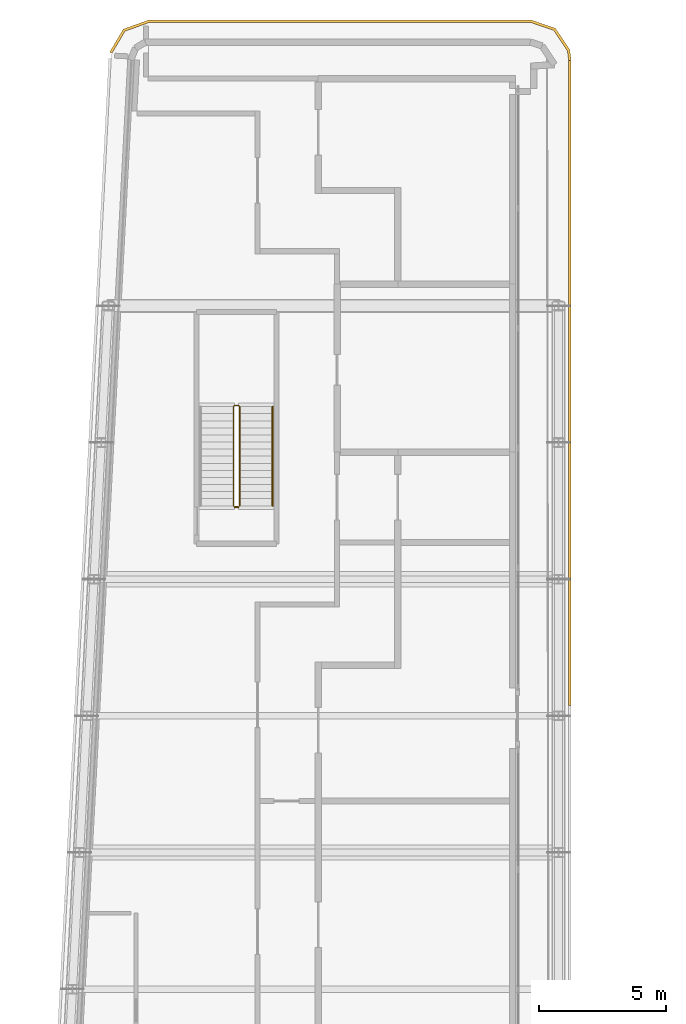
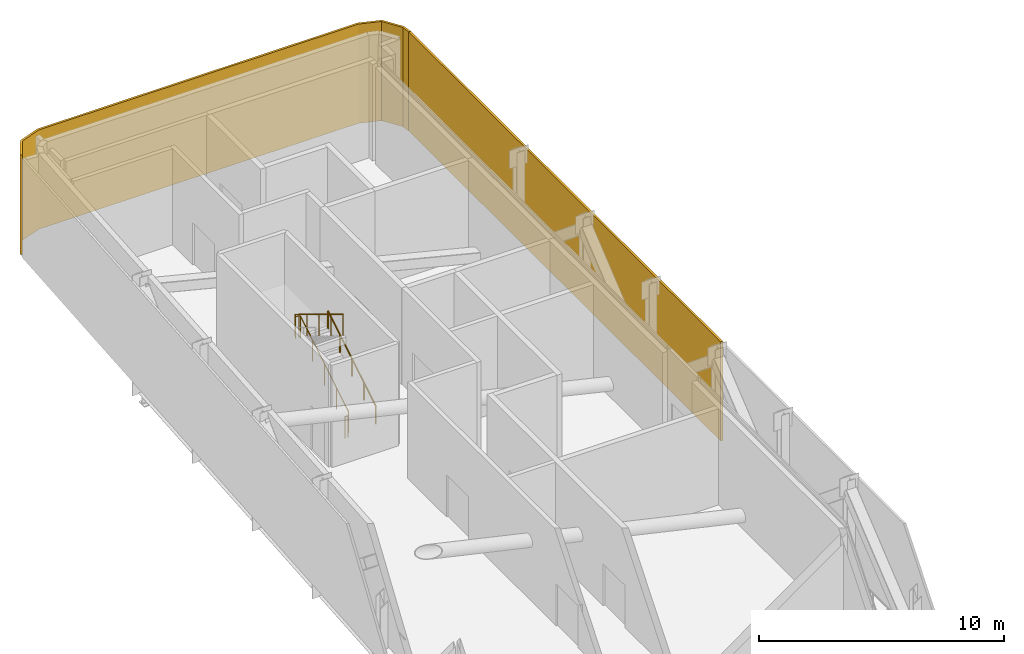
# One storey, part 18 of 18: 3 railings, 2 shading devices.
"""IFC4 building model written with IfcOpenShell, lengths in metres."""

from ifc_helpers import new_model, si_unit, direction, frame, origin, origin_2d, place, context, subcontext, project, spatial, polyline, rectangle, circle, outline, extrude, material, layer, layer_set, type_object, element, save


model = new_model("IFC4")

# Units and contexts
model_context = context("Model", 3, precision=1e-05, world=origin(), true_north=direction((0.0, 1.0)))
body_context = subcontext(model_context, "Body", "Model", "MODEL_VIEW")
ifc_project = project(units=[si_unit("LENGTHUNIT", "METRE"), si_unit("AREAUNIT", "SQUARE_METRE"), si_unit("VOLUMEUNIT", "CUBIC_METRE"), si_unit("PLANEANGLEUNIT", "RADIAN"), si_unit("MASSUNIT", "GRAM", prefix="KILO")], contexts=[model_context])

# Site, building, storey
site_placement = place(None, origin())
site = spatial("IfcSite", under=ifc_project, at=site_placement, CompositionType="ELEMENT")
building_placement = place(site_placement, origin())
building = spatial("IfcBuilding", under=site, at=building_placement, Name="Kheshtan School and Residences Tower", CompositionType="ELEMENT")
storey_placement = place(building_placement, frame((0.0, 0.0, 333.199951171875)))
storey = spatial("IfcBuildingStorey", under=building, at=storey_placement, Name="L78", CompositionType="ELEMENT", Elevation=333.199951171875)

# Shading devices
ifc_material_1 = material(Name="Terracotta louvre blades", Category="masonry")
ifc_layer = layer(ifc_material_1, 0.10009765625)
ifc_layer_set = layer_set([ifc_layer], Name="Plant louvre screen")
shading_device_type = type_object("IfcShadingDeviceType", Name="Plant louvre screen", PredefinedType="JALOUSIE", material=ifc_layer_set)
shading_device_1_placement = place(storey_placement, origin())
element("IfcShadingDevice", 1, at=shading_device_1_placement, inside=storey, type_object=shading_device_type, Name="Screen L78 1", PredefinedType="JALOUSIE", context=body_context, shape_type="SweptSolid", body=[
    extrude(outline(polyline([(29.949951171875, 98.783935546875), (30.468017578125, 99.656982421875), (31.423095703125, 100.0), (46.5, 100.0), (47.4130859375, 99.68994140625), (47.948974609375, 98.887939453125), (48.0, 98.5), (48.09912109375, 98.512939453125), (48.044921875, 98.924072265625), (47.47705078125, 99.77392578125), (46.51708984375, 100.10009765625), (31.406005859375, 100.10009765625), (30.39990234375, 99.739013671875), (29.864013671875, 98.8349609375), (29.949951171875, 98.783935546875)])), origin(), (0.0, 0.0, 1.0), 4.949951171875),
])
shading_device_2_placement = place(storey_placement, frame((48.050048828125, 85.75, 0.0), z_axis=(0.0, 0.0, 1.0), x_axis=(0.0, -1.0, 0.0)))
element("IfcShadingDevice", 2, at=shading_device_2_placement, inside=storey, type_object=shading_device_type, Name="Screen L78 2", PredefinedType="JALOUSIE", context=body_context, shape_type="SweptSolid", body=[
    extrude(rectangle(XDim=25.5, YDim=0.10009765625, at=origin_2d()), origin(), (0.0, 0.0, 1.0), 4.949951171875),
])

# Railings
ifc_material_2 = material(Name="Stainless steel balustrade", Category="steel")
railing_type_1 = type_object("IfcRailingType", Name="Stair guard 1100", PredefinedType="GUARDRAIL", material=ifc_material_2)
railing_1_placement = place(storey_placement, frame((35.0, 80.89990234375, 0.170166015625)))
element("IfcRailing", 3, at=railing_1_placement, inside=storey, type_object=railing_type_1, Name="L78 ST3 stair guard 1", PredefinedType="GUARDRAIL", context=body_context, shape_type="SweptSolid", body=[
    extrude(circle(Radius=0.02392578125, at=origin_2d()), frame((0.0, 0.0, 1.076171875), z_axis=(0.0, 0.854808600491, 0.518943403973), x_axis=(-1.0, 0.0, 0.0)), (0.0, 0.0, 1.0), 4.5859375),
    extrude(circle(Radius=0.02392578125, at=origin_2d()), frame((0.0, 3.920166015625, 3.4560546875), z_axis=(-0.707106781187, 0.707106781187, 0.0), x_axis=(-0.707106781187, -0.707106781187, 0.0)), (0.0, 0.0, 1.0), 0.07080078125),
    extrude(circle(Radius=0.02392578125, at=origin_2d()), frame((-0.050048828125, 3.97021484375, 3.4560546875), z_axis=(-1.0, 0.0, 0.0), x_axis=(0.0, -1.0, 0.0)), (0.0, 0.0, 1.0), 0.14990234375),
    extrude(circle(Radius=0.02392578125, at=origin_2d()), frame((-0.199951171875, 3.97021484375, 3.4560546875), z_axis=(-0.271895245746, -0.271895245746, 0.923117517265), x_axis=(0.707106781187, -0.707106781187, 0.0)), (0.0, 0.0, 1.0), 0.18408203125),
    extrude(circle(Radius=0.02392578125, at=origin_2d()), frame((-0.25, 3.920166015625, 3.6259765625), z_axis=(0.0, -0.854784984964, 0.518982301701), x_axis=(1.0, 0.0, 0.0)), (0.0, 0.0, 1.0), 4.586181640625),
    extrude(circle(Radius=0.02099609375, at=origin_2d()), origin(), (0.0, 0.0, 1.0), 1.052001953125),
    extrude(circle(Radius=0.02099609375, at=origin_2d()), frame((0.0, 0.97998046875, 0.594970703125)), (0.0, 0.0, 1.0), 1.052001953125),
    extrude(circle(Radius=0.02099609375, at=origin_2d()), frame((0.0, 1.9599609375, 1.18994140625)), (0.0, 0.0, 1.0), 1.052001953125),
    extrude(circle(Radius=0.02099609375, at=origin_2d()), frame((0.0, 2.940185546875, 1.784912109375)), (0.0, 0.0, 1.0), 1.052001953125),
    extrude(circle(Radius=0.02099609375, at=origin_2d()), frame((0.0, 3.920166015625, 2.3798828125)), (0.0, 0.0, 1.0), 1.052001953125),
    extrude(circle(Radius=0.02099609375, at=origin_2d()), frame((-0.050048828125, 3.97021484375, 2.3798828125)), (0.0, 0.0, 1.0), 1.052001953125),
    extrude(circle(Radius=0.02099609375, at=origin_2d()), frame((-0.199951171875, 3.97021484375, 2.3798828125)), (0.0, 0.0, 1.0), 1.052001953125),
    extrude(circle(Radius=0.02099609375, at=origin_2d()), frame((-0.25, 3.920166015625, 2.5498046875)), (0.0, 0.0, 1.0), 1.052001953125),
    extrude(circle(Radius=0.02099609375, at=origin_2d()), frame((-0.25, 2.940185546875, 3.144775390625)), (0.0, 0.0, 1.0), 1.052001953125),
    extrude(circle(Radius=0.02099609375, at=origin_2d()), frame((-0.25, 1.9599609375, 3.73974609375)), (0.0, 0.0, 1.0), 1.052001953125),
    extrude(circle(Radius=0.02099609375, at=origin_2d()), frame((-0.25, 0.97998046875, 4.3349609375)), (0.0, 0.0, 1.0), 1.052001953125),
    extrude(circle(Radius=0.02099609375, at=origin_2d()), frame((-0.25, 0.0, 4.929931640625)), (0.0, 0.0, 1.0), 1.052001953125),
])
railing_2_placement = place(storey_placement, frame((34.949951171875, 80.85009765625, 0.0)))
element("IfcRailing", 4, at=railing_2_placement, inside=storey, type_object=railing_type_1, Name="L78 ST3 stair guard 2", PredefinedType="GUARDRAIL", context=body_context, shape_type="SweptSolid", body=[
    extrude(circle(Radius=0.02392578125, at=origin_2d()), frame((0.0, 0.0, 1.076171875), z_axis=(-1.0, 0.0, 0.0), x_axis=(0.0, -1.0, 0.0)), (0.0, 0.0, 1.0), 0.14990234375),
    extrude(circle(Radius=0.02099609375, at=origin_2d()), origin(), (0.0, 0.0, 1.0), 1.052001953125),
    extrude(circle(Radius=0.02099609375, at=origin_2d()), frame((-0.14990234375, 0.0, 0.0)), (0.0, 0.0, 1.0), 1.052001953125),
])
ifc_material_3 = material(Name="Stainless steel handrail", Category="steel")
railing_type_2 = type_object("IfcRailingType", Name="Stair handrail 900", PredefinedType="HANDRAIL", material=ifc_material_3)
railing_3_placement = place(storey_placement, frame((36.300048828125, 80.89990234375, 0.170166015625)))
element("IfcRailing", 5, at=railing_3_placement, inside=storey, type_object=railing_type_2, Name="L78 ST3 stair handrail 1", PredefinedType="HANDRAIL", context=body_context, shape_type="SweptSolid", body=[
    extrude(circle(Radius=0.02392578125, at=origin_2d()), frame((0.0, 0.0, 0.8759765625), z_axis=(0.0, 0.854808600491, 0.518943403973), x_axis=(-1.0, 0.0, 0.0)), (0.0, 0.0, 1.0), 4.5859375),
    extrude(circle(Radius=0.02099609375, at=origin_2d()), origin(), (0.0, 0.0, 1.0), 0.851806640625),
    extrude(circle(Radius=0.02099609375, at=origin_2d()), frame((0.0, 0.97998046875, 0.594970703125)), (0.0, 0.0, 1.0), 0.851806640625),
    extrude(circle(Radius=0.02099609375, at=origin_2d()), frame((0.0, 1.9599609375, 1.18994140625)), (0.0, 0.0, 1.0), 0.851806640625),
    extrude(circle(Radius=0.02099609375, at=origin_2d()), frame((0.0, 2.940185546875, 1.784912109375)), (0.0, 0.0, 1.0), 0.851806640625),
    extrude(circle(Radius=0.02099609375, at=origin_2d()), frame((0.0, 3.920166015625, 2.3798828125)), (0.0, 0.0, 1.0), 0.851806640625),
])

save(model, "model.ifc")
